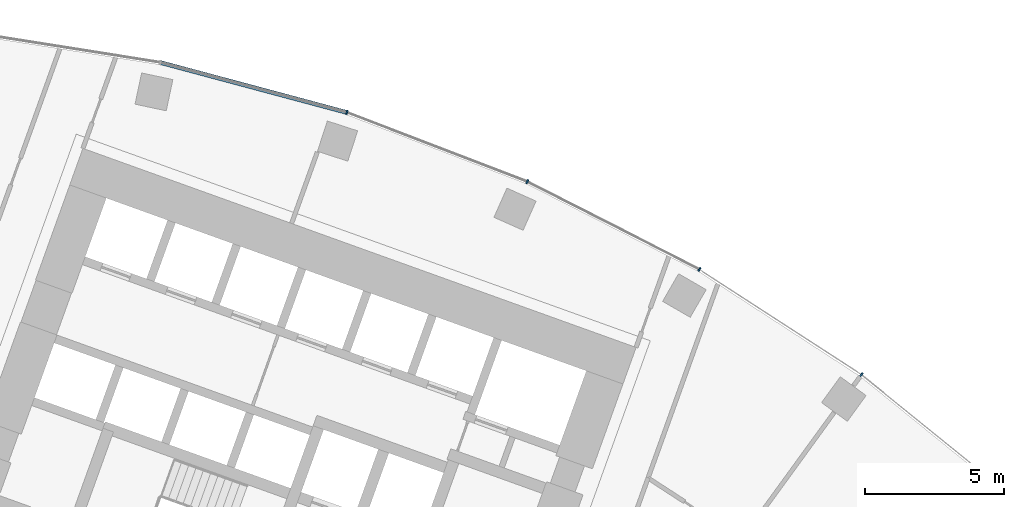
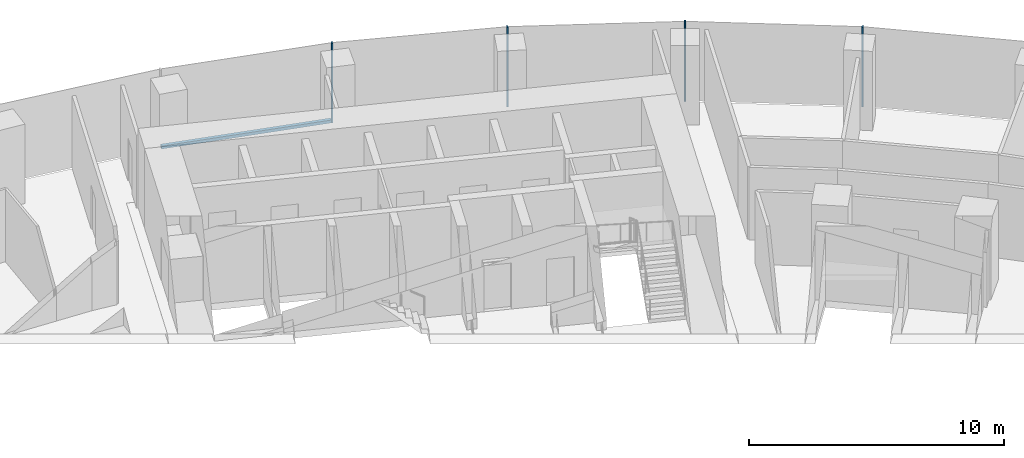
# One storey, part 10 of 20: 5 members, 1 element without a shape of its own.
"""IFC4 building model written with IfcOpenShell, lengths in metres."""

from ifc_helpers import new_model, si_unit, direction, frame, origin, origin_2d, place, context, subcontext, project, spatial, rectangle, extrude, material, layer, layer_set, material_profile, profile_set, type_object, element, aggregate, save


model = new_model("IFC4")

# Units and contexts
model_context = context("Model", 3, precision=1e-05, world=origin(), true_north=direction((0.0, 1.0)))
body_context = subcontext(model_context, "Body", "Model", "MODEL_VIEW")
ifc_project = project(units=[si_unit("LENGTHUNIT", "METRE"), si_unit("AREAUNIT", "SQUARE_METRE"), si_unit("VOLUMEUNIT", "CUBIC_METRE"), si_unit("PLANEANGLEUNIT", "RADIAN"), si_unit("MASSUNIT", "GRAM", prefix="KILO")], contexts=[model_context])

# Site, building, storey
site_placement = place(None, origin())
site = spatial("IfcSite", under=ifc_project, at=site_placement, CompositionType="ELEMENT")
building_placement = place(site_placement, origin())
building = spatial("IfcBuilding", under=site, at=building_placement, Name="Stone Belt Terrace Tower", CompositionType="ELEMENT")
storey_placement = place(building_placement, frame((0.0, 0.0, 102.199951171875)))
storey = spatial("IfcBuildingStorey", under=building, at=storey_placement, Name="L24", CompositionType="ELEMENT", Elevation=102.199951171875)

# Curtain wall, members
ifc_material = material(Name="Aluminium 6063-T6 anodised frame", Category="aluminium")
ifc_layer = layer(ifc_material, 0.14990234375)
ifc_layer_set = layer_set([ifc_layer], Name="CW-A unitised convex-face curtain wall")
curtain_wall_type = type_object("IfcCurtainWallType", Name="CW-A unitised convex-face curtain wall", PredefinedType="NOTDEFINED", material=ifc_layer_set)
curtain_wall_placement = place(storey_placement, origin())
curtain_wall = element("IfcCurtainWall", 1, at=curtain_wall_placement, inside=storey, type_object=curtain_wall_type, Name="CW-A convex face L24", PredefinedType="NOTDEFINED")
ifc_material_profile_1 = material_profile(ifc_material, rectangle(XDim=0.14990234375, YDim=0.06005859375, at=origin_2d()), Name="Aluminium 6063-T6 60x150")
ifc_profile_set_1 = profile_set([ifc_material_profile_1], Name="Aluminium 6063-T6 anodised frame")
member_type_1 = type_object("IfcMemberType", Name="CW-A mullion 60 x 150", PredefinedType="MULLION", material=ifc_profile_set_1)
member_1_placement = place(storey_placement, frame((39.1318359375, 53.8603515625, 0.0), z_axis=(0.0, 0.0, 1.0), x_axis=(-0.587785252292, -0.809016994375, 0.0)))
member_1 = element("IfcMember", 2, at=member_1_placement, type_object=member_type_1, Name="CW-A mullion 4", PredefinedType="MULLION", context=body_context, shape_type="SweptSolid", body=[
    extrude(rectangle(XDim=0.14990234375, YDim=0.06005859375, at=origin_2d()), origin(), (0.0, 0.0, 1.0), 3.800048828125),
])
member_2_placement = place(storey_placement, frame((33.28759765625, 57.65576171875, 0.0), z_axis=(0.0, 0.0, 1.0), x_axis=(-0.5, -0.866025403784, 0.0)))
member_2 = element("IfcMember", 3, at=member_2_placement, type_object=member_type_1, Name="CW-A mullion 5", PredefinedType="MULLION", context=body_context, shape_type="SweptSolid", body=[
    extrude(rectangle(XDim=0.14990234375, YDim=0.06005859375, at=origin_2d()), origin(), (0.0, 0.0, 1.0), 3.800048828125),
])
member_3_placement = place(storey_placement, frame((27.07861328125, 60.8193359375, 0.0), z_axis=(0.0, 0.0, 1.0), x_axis=(-0.406736643076, -0.913545457643, 0.0)))
member_3 = element("IfcMember", 4, at=member_3_placement, type_object=member_type_1, Name="CW-A mullion 6", PredefinedType="MULLION", context=body_context, shape_type="SweptSolid", body=[
    extrude(rectangle(XDim=0.14990234375, YDim=0.06005859375, at=origin_2d()), origin(), (0.0, 0.0, 1.0), 3.800048828125),
])
member_4_placement = place(storey_placement, frame((20.57275390625, 63.316650390625, 0.0), z_axis=(0.0, 0.0, 1.0), x_axis=(-0.309016994375, -0.951056516295, 0.0)))
member_4 = element("IfcMember", 5, at=member_4_placement, type_object=member_type_1, Name="CW-A mullion 7", PredefinedType="MULLION", context=body_context, shape_type="SweptSolid", body=[
    extrude(rectangle(XDim=0.14990234375, YDim=0.06005859375, at=origin_2d()), origin(), (0.0, 0.0, 1.0), 3.800048828125),
])
ifc_material_profile_2 = material_profile(ifc_material, rectangle(XDim=0.14990234375, YDim=0.139892578125, at=origin_2d()), Name="Aluminium 6063-T6 150x140")
ifc_profile_set_2 = profile_set([ifc_material_profile_2], Name="Aluminium 6063-T6 anodised frame")
member_type_2 = type_object("IfcMemberType", Name="CW-A transom 140 x 150", PredefinedType="USERDEFINED", material=ifc_profile_set_2)
member_5_placement = place(storey_placement, frame((20.5400390625, 63.325439453125, 0.070068359375), z_axis=(-0.965921835863, 0.258833937117, 0.0), x_axis=(-0.258833937117, -0.965921835863, 0.0)))
member_5 = element("IfcMember", 6, at=member_5_placement, type_object=member_type_2, Name="CW-A transom 7.1", ObjectType="TRANSOM", PredefinedType="USERDEFINED", context=body_context, shape_type="SweptSolid", body=[
    extrude(rectangle(XDim=0.14990234375, YDim=0.139892578125, at=origin_2d()), origin(), (0.0, 0.0, 1.0), 6.900634765625),
])
aggregate(curtain_wall, [member_1, member_2, member_3, member_4, member_5])

save(model, "model.ifc")
